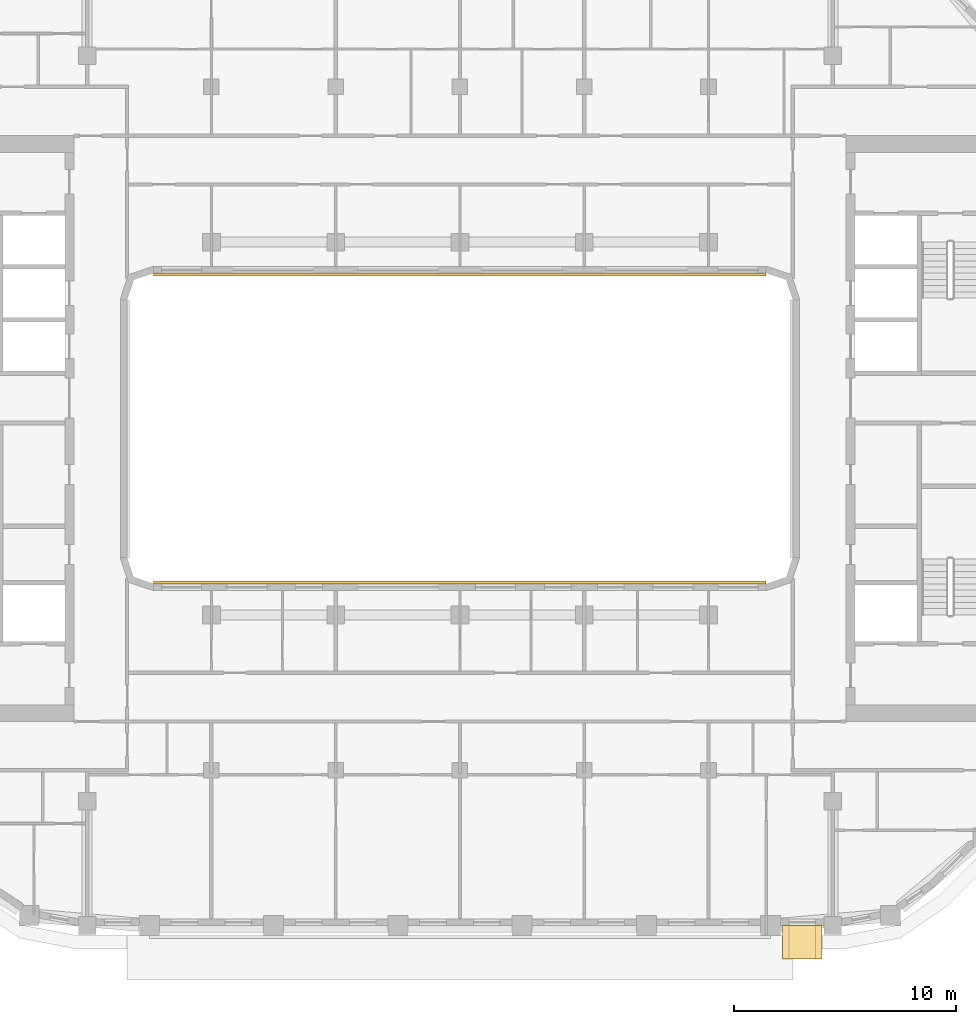
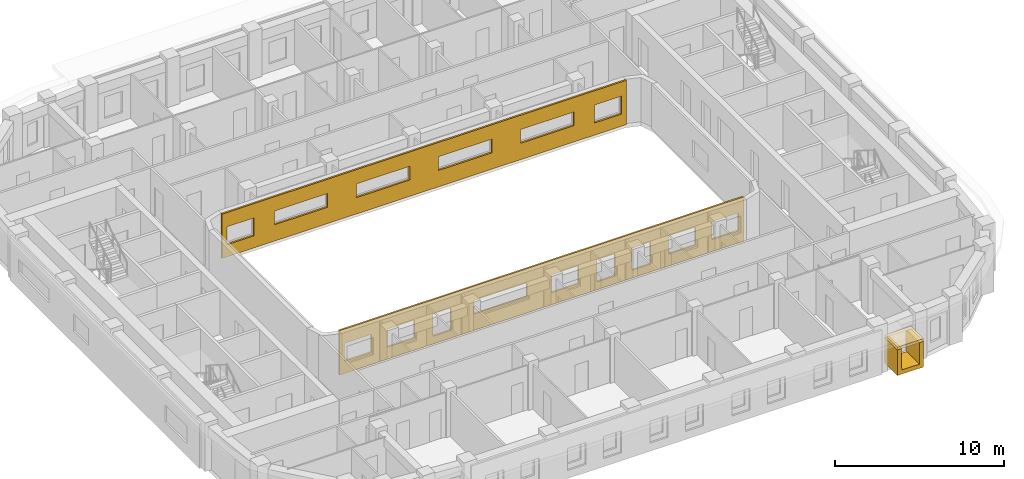
# One storey, part 15 of 21: 4 coverings.
"""IFC4 building model written with IfcOpenShell, lengths in metres."""

from ifc_helpers import new_model, si_unit, direction, frame, origin, origin_2d, place, context, subcontext, project, spatial, polyline, rectangle, outline, extrude, material, layer, layer_set, type_object, element, save


model = new_model("IFC4")

# Units and contexts
model_context = context("Model", 3, precision=1e-05, world=origin(), true_north=direction((0.0, 1.0)))
body_context = subcontext(model_context, "Body", "Model", "MODEL_VIEW")
ifc_project = project(units=[si_unit("LENGTHUNIT", "METRE"), si_unit("AREAUNIT", "SQUARE_METRE"), si_unit("VOLUMEUNIT", "CUBIC_METRE"), si_unit("PLANEANGLEUNIT", "RADIAN"), si_unit("MASSUNIT", "GRAM", prefix="KILO")], contexts=[model_context])

# Site, building, storey
site_placement = place(None, origin())
site = spatial("IfcSite", under=ifc_project, at=site_placement, CompositionType="ELEMENT")
building_placement = place(site_placement, origin())
building = spatial("IfcBuilding", under=site, at=building_placement, Name="Kiln Ring Residences", CompositionType="ELEMENT")
storey_placement = place(building_placement, frame((0.0, 0.0, 192.39990234375)))
storey = spatial("IfcBuildingStorey", under=building, at=storey_placement, Name="L49", CompositionType="ELEMENT", Elevation=192.39990234375)

# Coverings
ifc_material_1 = material(Name="Brick masonry, dark clay brick", Category="masonry")
ifc_layer_1 = layer(ifc_material_1, 0.300048828125)
ifc_layer_set_1 = layer_set([ifc_layer_1], Name="FRAME CHEEKS AND SILL 1500")
covering_type_1 = type_object("IfcCoveringType", Name="FRAME CHEEKS AND SILL 1500", PredefinedType="CLADDING", material=ifc_layer_set_1)
covering_1_placement = place(storey_placement, frame((14.52490234375, -23.14990234375, 0.300048828125), z_axis=(0.0, 0.0, 1.0), x_axis=(1.0, 0.0, 0.0)))
element("IfcCovering", 1, at=covering_1_placement, inside=storey, type_object=covering_type_1, Name="FRAME L49", PredefinedType="CLADDING", context=body_context, shape_type="SweptSolid", body=[
    extrude(outline(polyline([(0.0, 0.0), (1.800048828125, 0.0), (1.800048828125, 1.85009765625), (1.5009765625, 1.85009765625), (1.5, 0.300048828125), (0.300048828125, 0.300048828125), (0.299072265625, 1.85009765625), (0.0, 1.85009765625), (0.0, 0.0)])), frame((0.0, 0.75, 0.0), z_axis=(0.0, -1.0, 0.0), x_axis=(1.0, 0.0, 0.0)), (0.0, 0.0, 1.0), 1.5),
])
ifc_material_2 = material(Name="Brick masonry, dark clay brick", Category="masonry")
ifc_layer_2 = layer(ifc_material_2, 0.199951171875)
ifc_layer_set_2 = layer_set([ifc_layer_2], Name="FRAME HEAD 1500")
covering_type_2 = type_object("IfcCoveringType", Name="FRAME HEAD 1500", PredefinedType="CLADDING", material=ifc_layer_set_2)
covering_2_placement = place(storey_placement, frame((15.425048828125, -23.14990234375, 2.14990234375), z_axis=(0.0, 0.0, 1.0), x_axis=(1.0, 0.0, 0.0)))
element("IfcCovering", 2, at=covering_2_placement, inside=storey, type_object=covering_type_2, Name="FRAME HEAD L49", PredefinedType="CLADDING", context=body_context, shape_type="SweptSolid", body=[
    extrude(rectangle(XDim=1.800048828125, YDim=1.5, at=origin_2d()), origin(), (0.0, 0.0, 1.0), 0.199951171875),
])
ifc_material_3 = material(Name="Brick masonry, dark clay brick", Category="masonry")
ifc_layer_3 = layer(ifc_material_3, 0.1201171875)
ifc_layer_set_3 = layer_set([ifc_layer_3], Name="RAINSCREEN PANEL 120")
covering_type_3 = type_object("IfcCoveringType", Name="RAINSCREEN PANEL 120", PredefinedType="CLADDING", material=ifc_layer_set_3)
covering_3_placement = place(storey_placement, frame((-13.800048828125, 6.93994140625, 0.0), z_axis=(0.0, 0.0, 1.0), x_axis=(1.0, 0.0, 0.0)))
element("IfcCovering", 3, at=covering_3_placement, inside=storey, type_object=covering_type_3, Name="RAINSCREEN L49", PredefinedType="CLADDING", context=body_context, shape_type="SweptSolid", body=[
    extrude(outline(polyline([(0.0, 0.0), (27.60009765625, 0.0), (27.60009765625, 3.2001953125), (0.0, 3.2001953125), (0.0, 0.0)]), holes=[polyline([(2.1826171875, 0.880126953125), (2.1826171875, 2.170166015625), (0.342529296875, 2.170166015625), (0.342529296875, 0.880126953125), (2.1826171875, 0.880126953125)]), polyline([(25.41748046875, 0.880126953125), (27.257568359375, 0.880126953125), (27.257568359375, 2.170166015625), (25.41748046875, 2.170166015625), (25.41748046875, 0.880126953125)]), polyline([(3.580078125, 1.18017578125), (7.219970703125, 1.18017578125), (7.219970703125, 2.170166015625), (3.580078125, 2.170166015625), (3.580078125, 1.18017578125)]), polyline([(12.820068359375, 1.18017578125), (12.820068359375, 2.170166015625), (9.179931640625, 2.170166015625), (9.179931640625, 1.18017578125), (12.820068359375, 1.18017578125)]), polyline([(14.780029296875, 1.18017578125), (18.419921875, 1.18017578125), (18.419921875, 2.170166015625), (14.780029296875, 2.170166015625), (14.780029296875, 1.18017578125)]), polyline([(20.3798828125, 1.18017578125), (24.02001953125, 1.18017578125), (24.02001953125, 2.170166015625), (20.3798828125, 2.170166015625), (20.3798828125, 1.18017578125)])]), frame((0.0, 0.06005859375, 0.0), z_axis=(0.0, -1.0, 0.0), x_axis=(1.0, 0.0, 0.0)), (0.0, 0.0, 1.0), 0.1201171875),
])
covering_4_placement = place(storey_placement, frame((13.800048828125, -6.93994140625, 0.0), z_axis=(0.0, 0.0, 1.0), x_axis=(-1.0, 0.0, 0.0)))
element("IfcCovering", 4, at=covering_4_placement, inside=storey, type_object=covering_type_3, Name="RAINSCREEN L49", PredefinedType="CLADDING", context=body_context, shape_type="SweptSolid", body=[
    extrude(outline(polyline([(0.0, 0.0), (27.60009765625, 0.0), (27.60009765625, 3.2001953125), (0.0, 3.2001953125), (0.0, 0.0)]), holes=[polyline([(6.3798828125, 0.580078125), (7.6201171875, 0.580078125), (7.6201171875, 2.170166015625), (6.3798828125, 2.170166015625), (6.3798828125, 0.580078125)]), polyline([(8.780029296875, 0.580078125), (10.02001953125, 0.580078125), (10.02001953125, 2.170166015625), (8.780029296875, 2.170166015625), (8.780029296875, 0.580078125)]), polyline([(19.97998046875, 0.580078125), (21.219970703125, 0.580078125), (21.219970703125, 2.170166015625), (19.97998046875, 2.170166015625), (19.97998046875, 0.580078125)]), polyline([(0.342529296875, 0.880126953125), (2.1826171875, 0.880126953125), (2.1826171875, 2.170166015625), (0.342529296875, 2.170166015625), (0.342529296875, 0.880126953125)]), polyline([(3.280029296875, 0.880126953125), (5.1201171875, 0.880126953125), (5.1201171875, 2.170166015625), (3.280029296875, 2.170166015625), (3.280029296875, 0.880126953125)]), polyline([(11.280029296875, 0.880126953125), (13.1201171875, 0.880126953125), (13.1201171875, 2.170166015625), (11.280029296875, 2.170166015625), (11.280029296875, 0.880126953125)]), polyline([(22.47998046875, 0.880126953125), (24.320068359375, 0.880126953125), (24.320068359375, 2.170166015625), (22.47998046875, 2.170166015625), (22.47998046875, 0.880126953125)]), polyline([(25.41748046875, 2.170166015625), (25.41748046875, 0.880126953125), (27.257568359375, 0.880126953125), (27.257568359375, 2.170166015625), (25.41748046875, 2.170166015625)]), polyline([(14.780029296875, 2.170166015625), (14.780029296875, 1.18017578125), (18.419921875, 1.18017578125), (18.419921875, 2.170166015625), (14.780029296875, 2.170166015625)])]), frame((0.0, 0.06005859375, 0.0), z_axis=(0.0, -1.0, 0.0), x_axis=(1.0, 0.0, 0.0)), (0.0, 0.0, 1.0), 0.1201171875),
])

save(model, "model.ifc")
